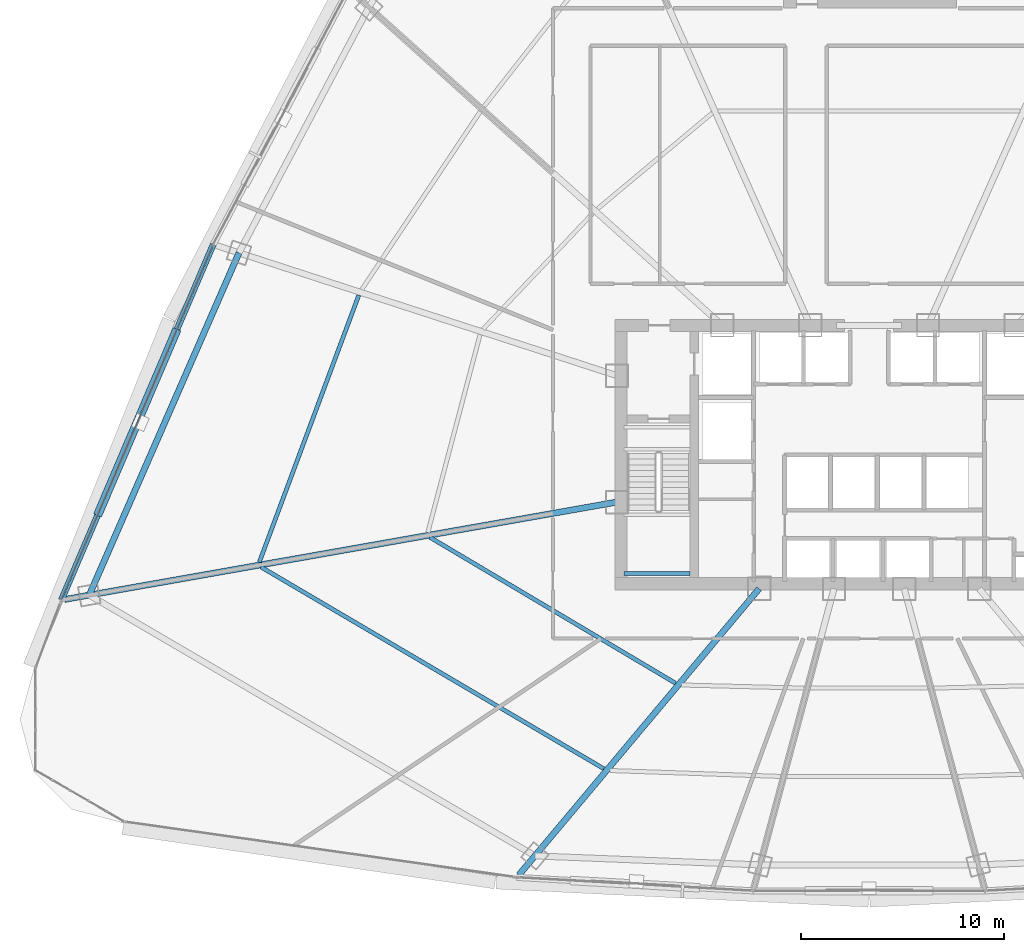
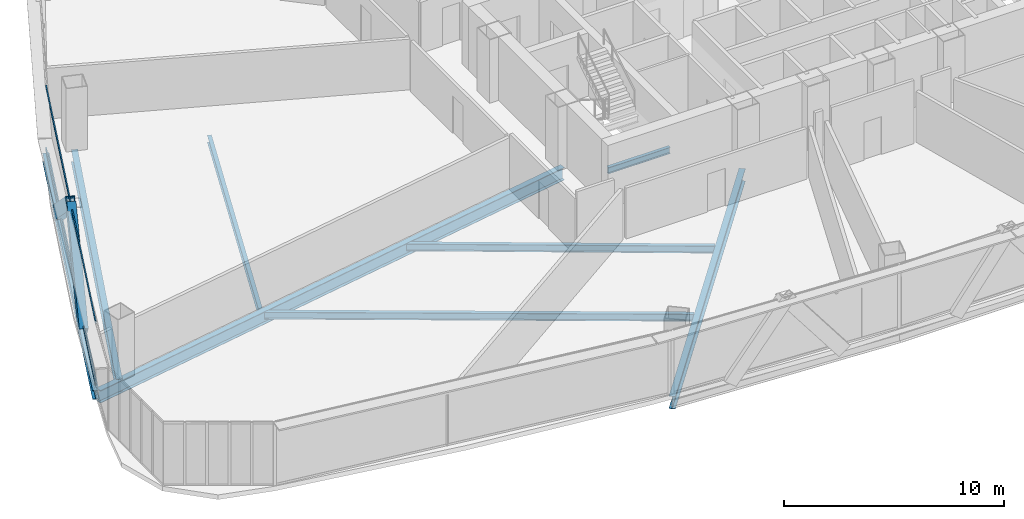
# One storey, part 7 of 41: 8 beams, 4 members, 1 element without a shape of its own.
"""IFC4 building model written with IfcOpenShell, lengths in metres."""

from ifc_helpers import new_model, si_unit, direction, frame, origin, origin_2d, place, context, subcontext, project, spatial, hollow_rectangle, i_section, extrude, source, transform, mapped, material, layer, layer_set, material_profile, profile_set, type_object, element, aggregate, save


model = new_model("IFC4")

# Units and contexts
model_context = context("Model", 3, precision=1e-05, world=origin(), true_north=direction((0.0, 1.0)))
body_context = subcontext(model_context, "Body", "Model", "MODEL_VIEW")
ifc_project = project(units=[si_unit("LENGTHUNIT", "METRE"), si_unit("AREAUNIT", "SQUARE_METRE"), si_unit("VOLUMEUNIT", "CUBIC_METRE"), si_unit("PLANEANGLEUNIT", "RADIAN"), si_unit("MASSUNIT", "GRAM", prefix="KILO"), si_unit("THERMODYNAMICTEMPERATUREUNIT", "KELVIN"), si_unit("POWERUNIT", "WATT")], contexts=[model_context])

# Site, building, storey
site_placement = place(None, origin())
site = spatial("IfcSite", under=ifc_project, at=site_placement, CompositionType="ELEMENT")
building_placement = place(site_placement, origin())
building = spatial("IfcBuilding", under=site, at=building_placement, Name="Yunzhuo Pagoda Commons", CompositionType="ELEMENT")
storey_placement = place(building_placement, frame((0.0, 0.0, 115.3798828125)))
storey = spatial("IfcBuildingStorey", under=building, at=storey_placement, Name="L29", CompositionType="ELEMENT", Elevation=115.3798828125)

# Beams
ifc_material_1 = material(Name="Structural steel Q355B", Category="steel")
ifc_material_profile_1 = material_profile(ifc_material_1, i_section(OverallWidth=0.175048828125, OverallDepth=0.35009765625, WebThickness=0.007080078125, FlangeThickness=0.010986328125, at=origin_2d()), Name="Structural steel Q355B")
ifc_profile_set_1 = profile_set([ifc_material_profile_1], Name="Structural steel Q355B")
beam_type_1 = type_object("IfcBeamType", Name="B-JS2 Joist HN 350x175x7x11", PredefinedType="JOIST", material=ifc_profile_set_1)
shared_shape_1 = source(origin(), body_context, "Body", "SweptSolid", [
    extrude(i_section(OverallWidth=0.175048828125, OverallDepth=0.35009765625, WebThickness=0.007080078125, FlangeThickness=0.010986328125, at=origin_2d()), origin(), (0.0, 0.0, 1.0), 3.25),
])
beam_1_placement = place(storey_placement, frame((35.949951171875, 28.0, 1.525146484375), z_axis=(1.0, 0.0, 0.0), x_axis=(0.0, 1.0, 0.0)))
element("IfcBeam", 1, at=beam_1_placement, inside=storey, type_object=beam_type_1, Name="L29 ST1 landing support beam 35A", PredefinedType="JOIST", context=body_context, shape_type="MappedRepresentation", body=[
    mapped(shared_shape_1, transform((0.0, 0.0, 0.0), scale=1.0)),
])
ifc_material_profile_2 = material_profile(ifc_material_1, i_section(OverallWidth=0.300048828125, OverallDepth=0.699951171875, WebThickness=0.012939453125, FlangeThickness=0.02392578125, at=origin_2d()), Name="Structural steel Q355B")
ifc_profile_set_2 = profile_set([ifc_material_profile_2], Name="Structural steel Q355B")
beam_type_2 = type_object("IfcBeamType", Name="B-RG1 Beam HN 700x300x13x24", PredefinedType="BEAM", material=ifc_profile_set_2)
shared_shape_2 = source(origin(), body_context, "Body", "SweptSolid", [
    extrude(i_section(OverallWidth=0.300048828125, OverallDepth=0.699951171875, WebThickness=0.012939453125, FlangeThickness=0.02392578125, at=origin_2d()), origin(), (0.0, 0.0, 1.0), 18.37158203125),
])
beam_2_placement = place(storey_placement, frame((17.00927734375, 43.76953125, -0.609619140625), z_axis=(-0.400729599795, -0.916196369698, 0.0), x_axis=(0.916196369698, -0.400729599795, 0.0)))
element("IfcBeam", 2, at=beam_2_placement, inside=storey, type_object=beam_type_2, Name="L29 column-ring beam 11", PredefinedType="BEAM", context=body_context, shape_type="MappedRepresentation", body=[
    mapped(shared_shape_2, transform((0.0, 0.0, 0.0), scale=1.0)),
])
ifc_material_profile_3 = material_profile(ifc_material_1, i_section(OverallWidth=0.199951171875, OverallDepth=0.39990234375, WebThickness=0.008056640625, FlangeThickness=0.012939453125, at=origin_2d()), Name="Structural steel Q355B")
ifc_profile_set_3 = profile_set([ifc_material_profile_3], Name="Structural steel Q355B")
beam_type_3 = type_object("IfcBeamType", Name="B-JS1 Joist HN 400x200x8x13", PredefinedType="JOIST", material=ifc_profile_set_3)
shared_shape_3 = source(origin(), body_context, "Body", "SweptSolid", [
    extrude(i_section(OverallWidth=0.199951171875, OverallDepth=0.39990234375, WebThickness=0.008056640625, FlangeThickness=0.012939453125, at=origin_2d()), origin(), (0.0, 0.0, 1.0), 14.061767578125),
])
beam_3_placement = place(storey_placement, frame((26.393798828125, 29.784912109375, -0.4599609375), z_axis=(0.859683443923, -0.510827149088, 0.0), x_axis=(0.510827149088, 0.859683443923, 0.0)))
element("IfcBeam", 3, at=beam_3_placement, inside=storey, type_object=beam_type_3, Name="L29 composite ring joist 1.12", PredefinedType="JOIST", context=body_context, shape_type="MappedRepresentation", body=[
    mapped(shared_shape_3, transform((0.0, 0.0, 0.0), scale=1.0)),
])
shared_shape_4 = source(origin(), body_context, "Body", "SweptSolid", [
    extrude(i_section(OverallWidth=0.199951171875, OverallDepth=0.39990234375, WebThickness=0.008056640625, FlangeThickness=0.012939453125, at=origin_2d()), origin(), (0.0, 0.0, 1.0), 19.568603515625),
])
beam_4_placement = place(storey_placement, frame((18.089111328125, 28.321044921875, -0.4599609375), z_axis=(0.861862685393, -0.50714170754, 0.0), x_axis=(0.50714170754, 0.861862685393, 0.0)))
element("IfcBeam", 4, at=beam_4_placement, inside=storey, type_object=beam_type_3, Name="L29 composite ring joist 2.12", PredefinedType="JOIST", context=body_context, shape_type="MappedRepresentation", body=[
    mapped(shared_shape_4, transform((0.0, 0.0, 0.0), scale=1.0)),
])
shared_shape_5 = source(origin(), body_context, "Body", "SweptSolid", [
    extrude(i_section(OverallWidth=0.199951171875, OverallDepth=0.39990234375, WebThickness=0.008056640625, FlangeThickness=0.012939453125, at=origin_2d()), origin(), (0.0, 0.0, 1.0), 14.018798828125),
])
beam_5_placement = place(storey_placement, frame((22.902587890625, 41.6875, -0.4599609375), z_axis=(-0.349137809065, -0.937071390173, 0.0), x_axis=(0.937071390173, -0.349137809065, 0.0)))
element("IfcBeam", 5, at=beam_5_placement, inside=storey, type_object=beam_type_3, Name="L29 composite ring joist 2.11", PredefinedType="JOIST", context=body_context, shape_type="MappedRepresentation", body=[
    mapped(shared_shape_5, transform((0.0, 0.0, 0.0), scale=1.0)),
])
shared_shape_6 = source(origin(), body_context, "Body", "SweptSolid", [
    extrude(i_section(OverallWidth=0.300048828125, OverallDepth=0.699951171875, WebThickness=0.012939453125, FlangeThickness=0.02392578125, at=origin_2d()), origin(), (0.0, 0.0, 1.0), 18.376220703125),
])
beam_6_placement = place(storey_placement, frame((30.77587890625, 13.173095703125, -0.609619140625), z_axis=(0.642790372457, 0.766042124871, 0.0), x_axis=(-0.766042124871, 0.642790372457, 0.0)))
element("IfcBeam", 6, at=beam_6_placement, inside=storey, type_object=beam_type_2, Name="L29 radial floor girder F1C1", PredefinedType="BEAM", context=body_context, shape_type="MappedRepresentation", body=[
    mapped(shared_shape_6, transform((0.0, 0.0, 0.0), scale=1.0)),
])
shared_shape_7 = source(origin(), body_context, "Body", "SweptSolid", [
    extrude(i_section(OverallWidth=0.300048828125, OverallDepth=0.699951171875, WebThickness=0.012939453125, FlangeThickness=0.02392578125, at=origin_2d()), origin(), (0.0, 0.0, 1.0), 27.59228515625),
])
beam_7_placement = place(storey_placement, frame((8.427001953125, 26.72216796875, -0.609619140625), z_axis=(0.984808311773, 0.173645008747, 0.0), x_axis=(-0.173645008747, 0.984808311773, 0.0)))
element("IfcBeam", 7, at=beam_7_placement, inside=storey, type_object=beam_type_2, Name="L29 radial floor girder F3C4", PredefinedType="BEAM", context=body_context, shape_type="MappedRepresentation", body=[
    mapped(shared_shape_7, transform((0.0, 0.0, 0.0), scale=1.0)),
])
ifc_material_profile_4 = material_profile(ifc_material_1, i_section(OverallWidth=0.300048828125, OverallDepth=0.488037109375, WebThickness=0.010986328125, FlangeThickness=0.01806640625, at=origin_2d()), Name="Structural steel Q355B")
ifc_profile_set_4 = profile_set([ifc_material_profile_4], Name="Structural steel Q355B")
beam_type_4 = type_object("IfcBeamType", Name="B-SP1 Beam HM 488x300x11x18", PredefinedType="BEAM", material=ifc_profile_set_4)
shared_shape_8 = source(origin(), body_context, "Body", "SweptSolid", [
    extrude(i_section(OverallWidth=0.300048828125, OverallDepth=0.488037109375, WebThickness=0.010986328125, FlangeThickness=0.01806640625, at=origin_2d()), origin(), (0.0, 0.0, 1.0), 19.013671875),
])
beam_8_placement = place(storey_placement, frame((15.74169921875, 44.181640625, -0.50390625), z_axis=(-0.392730365154, -0.919653663226, 0.0), x_axis=(0.919653663226, -0.392730365154, 0.0)))
element("IfcBeam", 8, at=beam_8_placement, inside=storey, type_object=beam_type_4, Name="L29 facade edge spandrel beam F3.3", PredefinedType="BEAM", context=body_context, shape_type="MappedRepresentation", body=[
    mapped(shared_shape_8, transform((0.0, 0.0, 0.0), scale=1.0)),
])

# Members
ifc_material_2 = material(Name="Structural steel Q420B", Category="steel")
ifc_material_profile_5 = material_profile(ifc_material_2, hollow_rectangle(XDim=0.419921875, YDim=0.719970703125, WallThickness=0.028076171875, at=origin_2d()), Name="Structural steel Q420B")
ifc_profile_set_5 = profile_set([ifc_material_profile_5], Name="Structural steel Q420B")
member_type_1 = type_object("IfcMemberType", Name="M-DL1 Brace BOX 720x420x28", PredefinedType="BRACE", material=ifc_profile_set_5)
shared_shape_9 = source(origin(), body_context, "Body", "SweptSolid", [
    extrude(hollow_rectangle(XDim=0.419921875, YDim=0.719970703125, WallThickness=0.028076171875, at=origin_2d()), origin(), (0.0, 0.0, 1.0), 6.07275390625),
])
member_1_placement = place(storey_placement, frame((10.14111328125, 31.067138671875, -0.259765625), z_axis=(0.307427885938, 0.719784081317, 0.622413826349), x_axis=(-0.919630521758, 0.392784550932, 0.0)))
element("IfcMember", 9, at=member_1_placement, inside=storey, type_object=member_type_1, Name="L29 facade diamond brace F3.3R", PredefinedType="BRACE", context=body_context, shape_type="MappedRepresentation", body=[
    mapped(shared_shape_9, transform((0.0, 0.0, 0.0), scale=1.0)),
])
shared_shape_10 = source(origin(), body_context, "Body", "SweptSolid", [
    extrude(hollow_rectangle(XDim=0.419921875, YDim=0.719970703125, WallThickness=0.028076171875, at=origin_2d()), origin(), (0.0, 0.0, 1.0), 6.0732421875),
])
member_2_placement = place(storey_placement, frame((13.875, 39.81005859375, -0.259765625), z_axis=(-0.307401199, -0.719842195696, 0.622359796379), x_axis=(0.919654290218, -0.392728896929, 0.0)))
element("IfcMember", 10, at=member_2_placement, inside=storey, type_object=member_type_1, Name="L29 facade diamond brace F3.3L", PredefinedType="BRACE", context=body_context, shape_type="MappedRepresentation", body=[
    mapped(shared_shape_10, transform((0.0, 0.0, 0.0), scale=1.0)),
])

# Curtain wall, members
ifc_material_3 = material(Name="Anodized aluminium 6063-T6", Category="aluminium")
ifc_layer = layer(ifc_material_3, 0.1650390625)
ifc_layer_set = layer_set([ifc_layer], Name="Anodized aluminium 6063-T6")
curtain_wall_type = type_object("IfcCurtainWallType", Name="CW-LOW Low-Zone Ribbon Curtain Wall", PredefinedType="NOTDEFINED", material=ifc_layer_set)
curtain_wall_placement = place(storey_placement, origin())
curtain_wall = element("IfcCurtainWall", 11, at=curtain_wall_placement, inside=storey, type_object=curtain_wall_type, Name="L29 curtain wall CW-L29-F3B4", PredefinedType="NOTDEFINED")
ifc_material_profile_6 = material_profile(ifc_material_3, hollow_rectangle(XDim=0.06005859375, YDim=0.139892578125, WallThickness=0.00341796875, at=origin_2d()), Name="Anodized aluminium 6063-T6")
ifc_profile_set_6 = profile_set([ifc_material_profile_6], Name="Anodized aluminium 6063-T6")
member_type_2 = type_object("IfcMemberType", Name="CW-LOW-T Transom RHS 140x60x3.5", PredefinedType="USERDEFINED", material=ifc_profile_set_6)
shared_shape_11 = source(origin(), body_context, "Body", "SweptSolid", [
    extrude(hollow_rectangle(XDim=0.06005859375, YDim=0.139892578125, WallThickness=0.00341796875, at=origin_2d()), origin(), (0.0, 0.0, 1.0), 18.8837890625),
])
member_3_placement = place(storey_placement, frame((15.71630859375, 44.12158203125, 0.030029296875), z_axis=(-0.392744037399, -0.919647824489, 0.0), x_axis=(0.919647824489, -0.392744037399, 0.0)))
member_3 = element("IfcMember", 12, at=member_3_placement, type_object=member_type_2, Name="CW transom 1.1", ObjectType="TRANSOM", PredefinedType="USERDEFINED", context=body_context, shape_type="MappedRepresentation", body=[
    mapped(shared_shape_11, transform((0.0, 0.0, 0.0), scale=1.0)),
])
member_4_placement = place(storey_placement, frame((15.71630859375, 44.12158203125, 3.490234375), z_axis=(-0.392744037399, -0.919647824489, 0.0), x_axis=(0.919647824489, -0.392744037399, 0.0)))
member_4 = element("IfcMember", 13, at=member_4_placement, type_object=member_type_2, Name="CW transom 1.2", ObjectType="TRANSOM", PredefinedType="USERDEFINED", context=body_context, shape_type="MappedRepresentation", body=[
    mapped(shared_shape_11, transform((0.0, 0.0, 0.0), scale=1.0)),
])
aggregate(curtain_wall, [member_3, member_4])

save(model, "model.ifc")
